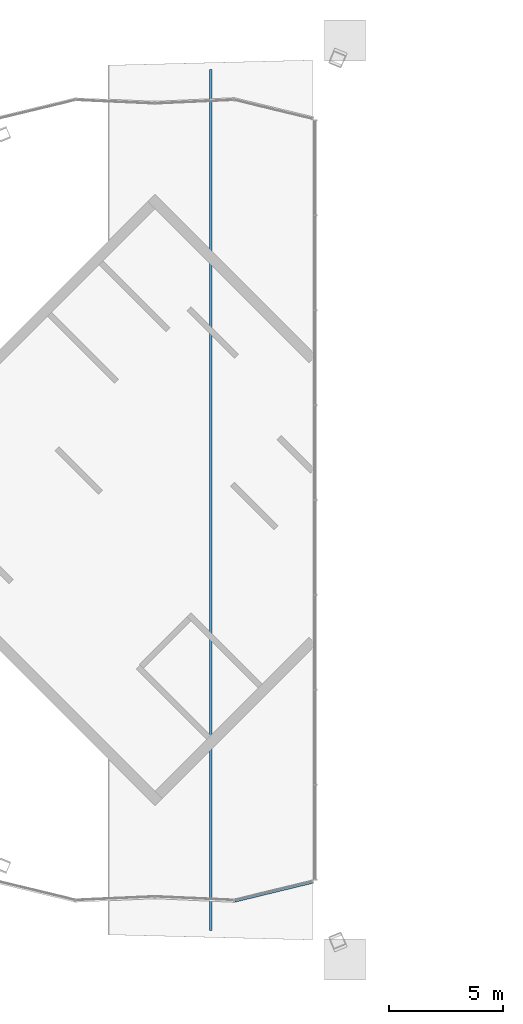
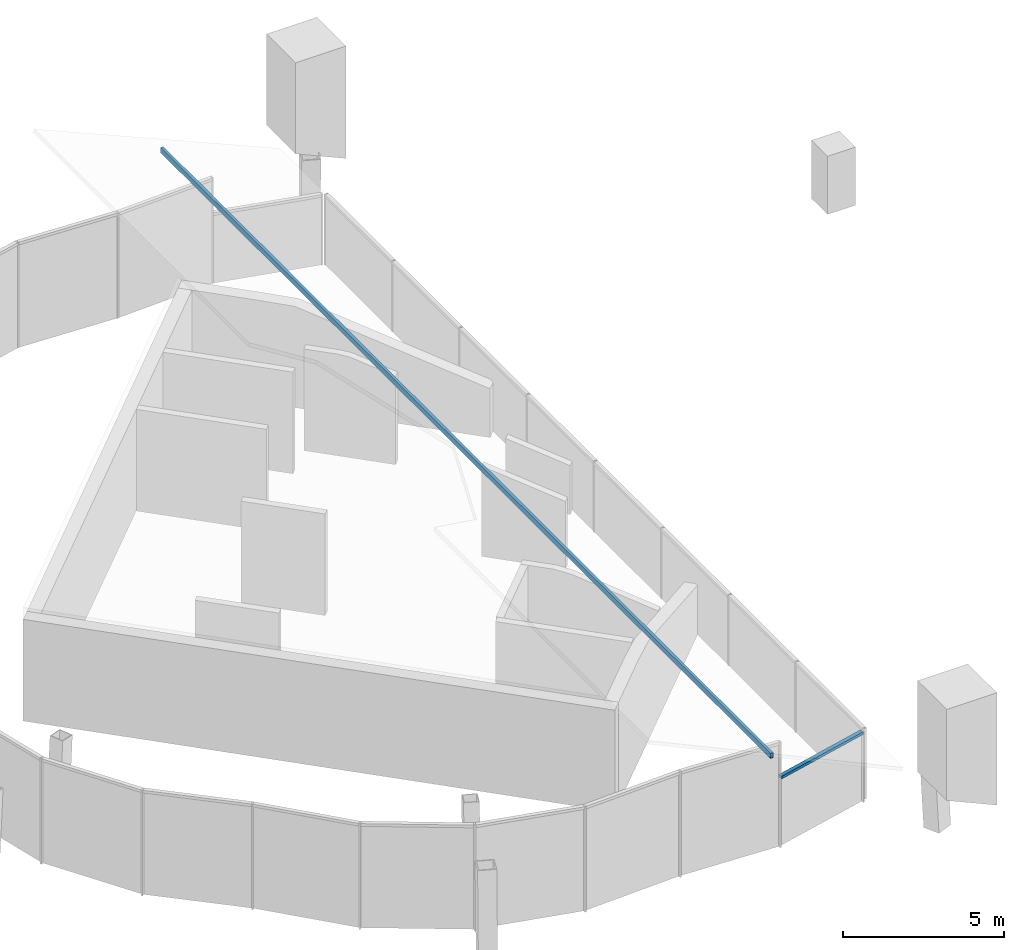
# One storey, part 9 of 14: 2 members, 1 element without a shape of its own.
"""IFC4 building model written with IfcOpenShell, lengths in metres."""

from ifc_helpers import new_model, si_unit, direction, frame, origin, origin_2d, place, context, subcontext, project, spatial, rectangle, hollow_rectangle, extrude, material, material_profile, profile_set, type_object, element, aggregate, save


model = new_model("IFC4")

# Units and contexts
model_context = context("Model", 3, precision=1e-05, world=origin(), true_north=direction((0.0, 1.0)))
body_context = subcontext(model_context, "Body", "Model", "MODEL_VIEW")
ifc_project = project(units=[si_unit("LENGTHUNIT", "METRE"), si_unit("AREAUNIT", "SQUARE_METRE"), si_unit("VOLUMEUNIT", "CUBIC_METRE"), si_unit("PLANEANGLEUNIT", "RADIAN"), si_unit("MASSUNIT", "GRAM", prefix="KILO")], contexts=[model_context])

# Site, building, storey
site_placement = place(None, origin())
site = spatial("IfcSite", under=ifc_project, at=site_placement, CompositionType="ELEMENT")
building_placement = place(site_placement, origin())
building = spatial("IfcBuilding", under=site, at=building_placement, Name="Ogive Gate Towers", CompositionType="ELEMENT")
storey_placement = place(building_placement, frame((0.0, 0.0, 306.0)))
storey = spatial("IfcBuildingStorey", under=building, at=storey_placement, Name="L72", CompositionType="ELEMENT", Elevation=306.0)

# Curtain wall, member
ifc_material_1 = material(Name="Pale metal aluminium", Category="aluminium")
curtain_wall_type = type_object("IfcCurtainWallType", Name="Crown lean wall", PredefinedType="NOTDEFINED", material=ifc_material_1)
curtain_wall_placement = place(storey_placement, origin())
curtain_wall = element("IfcCurtainWall", 1, at=curtain_wall_placement, inside=storey, type_object=curtain_wall_type, Name="CW5 T2 ECW07", PredefinedType="NOTDEFINED")
ifc_material_profile_1 = material_profile(ifc_material_1, rectangle(XDim=0.139892578125, YDim=0.10009765625, at=origin_2d()), Name="100 x 140 aluminium box")
ifc_profile_set_1 = profile_set([ifc_material_profile_1], Name="Pale metal aluminium")
member_type_1 = type_object("IfcMemberType", Name="Crown lean wall transom 100 x 140", PredefinedType="USERDEFINED", material=ifc_profile_set_1)
member_1_placement = place(storey_placement, frame((42.91748046875, -16.77685546875, 2.32763671875), z_axis=(-0.971834124793, -0.235665937055, 0.0), x_axis=(0.235665937055, -0.971834124793, 0.0)))
member_1 = element("IfcMember", 2, at=member_1_placement, type_object=member_type_1, Name="CW5 transom", ObjectType="TRANSOM", PredefinedType="USERDEFINED", context=body_context, shape_type="SweptSolid", body=[
    extrude(rectangle(XDim=0.139892578125, YDim=0.10009765625, at=origin_2d()), origin(), (0.0, 0.0, 1.0), 3.49853515625),
])
aggregate(curtain_wall, [member_1])

# Member
ifc_material_2 = material(Name="Steel SM460", Category="steel")
ifc_material_profile_2 = material_profile(ifc_material_2, hollow_rectangle(XDim=0.10009765625, YDim=0.199951171875, WallThickness=0.008056640625, at=origin_2d()), Name="RHS 200x100x8")
ifc_profile_set_2 = profile_set([ifc_material_profile_2], Name="Steel SM460")
member_type_2 = type_object("IfcMemberType", Name="Crown roof purlin RHS 200 x 100", PredefinedType="PURLIN", material=ifc_profile_set_2)
member_2_placement = place(storey_placement, frame((38.458740234375, 18.91845703125, 4.300048828125), z_axis=(0.0, -1.0, 0.0), x_axis=(1.0, 0.0, 0.0)))
element("IfcMember", 3, at=member_2_placement, inside=storey, type_object=member_type_2, Name="Crown roof purlin", PredefinedType="PURLIN", context=body_context, shape_type="SweptSolid", body=[
    extrude(hollow_rectangle(XDim=0.10009765625, YDim=0.199951171875, WallThickness=0.008056640625, at=origin_2d()), origin(), (0.0, 0.0, 1.0), 37.8369140625),
])

save(model, "model.ifc")
